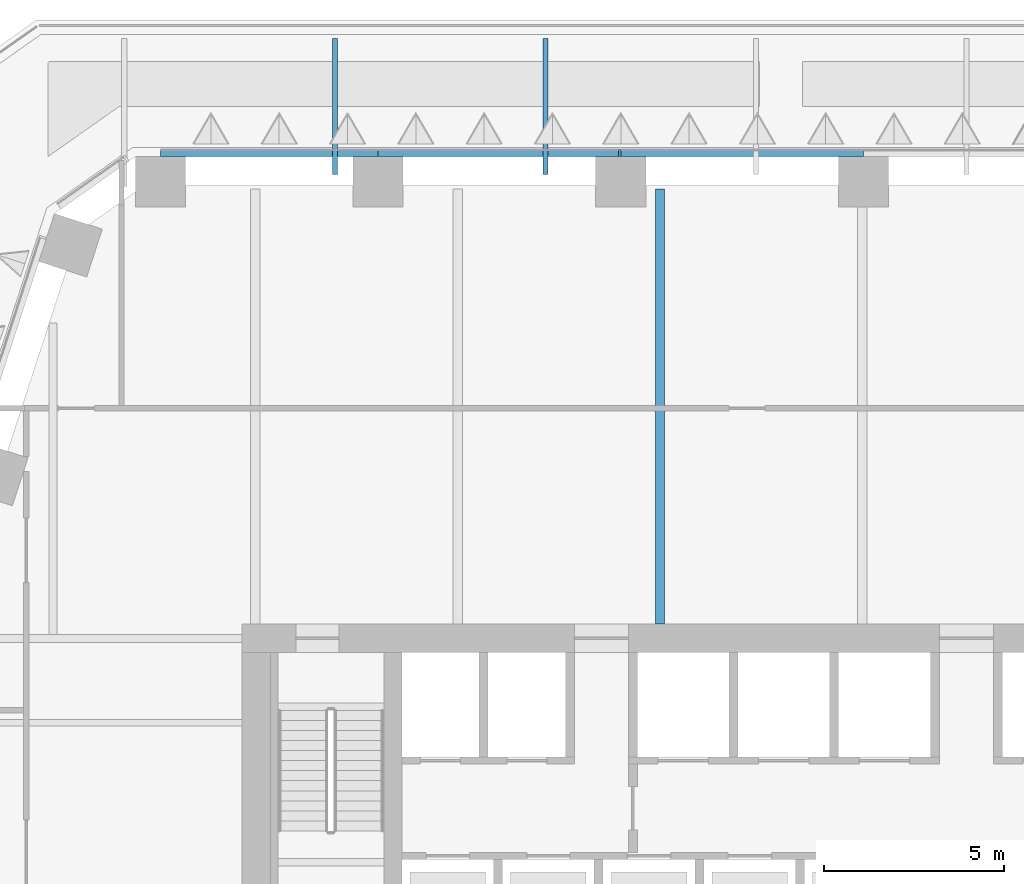
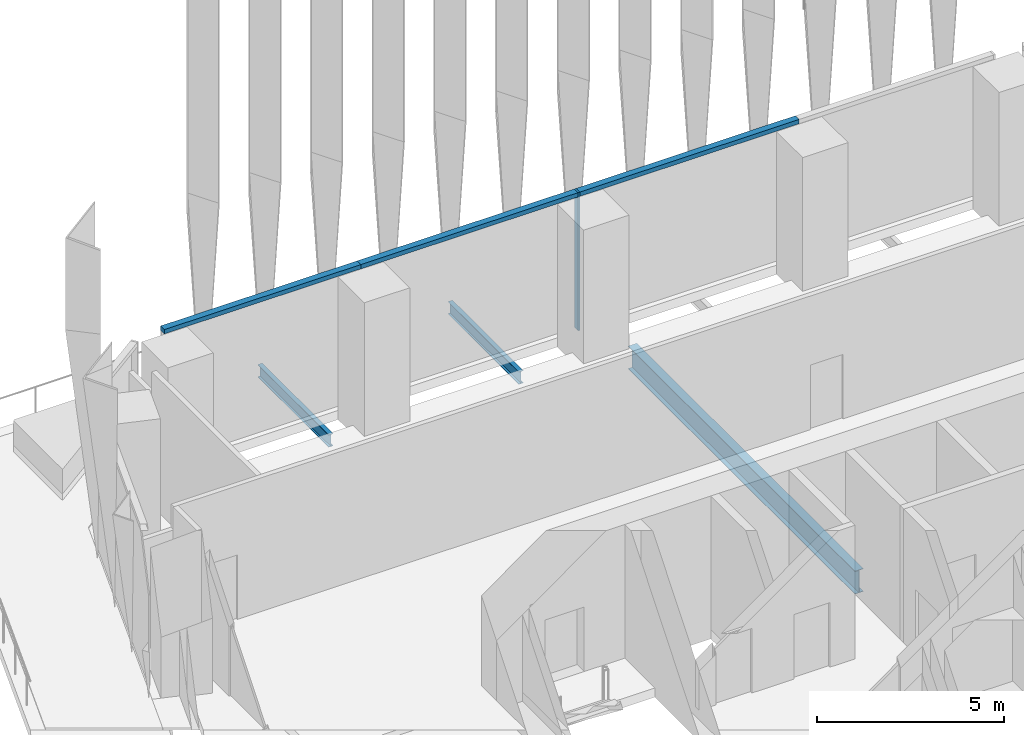
# One storey, part 8 of 27: 4 members, 3 beams, 1 element without a shape of its own.
"""IFC4 building model written with IfcOpenShell, lengths in metres."""

from ifc_helpers import new_model, si_unit, direction, frame, origin, origin_2d, place, context, subcontext, project, spatial, rectangle, i_section, extrude, material, layer, layer_set, material_profile, profile_set, type_object, element, aggregate, save


model = new_model("IFC4")

# Units and contexts
model_context = context("Model", 3, precision=1e-05, world=origin(), true_north=direction((0.0, 1.0)))
body_context = subcontext(model_context, "Body", "Model", "MODEL_VIEW")
ifc_project = project(units=[si_unit("LENGTHUNIT", "METRE"), si_unit("AREAUNIT", "SQUARE_METRE"), si_unit("VOLUMEUNIT", "CUBIC_METRE"), si_unit("PLANEANGLEUNIT", "RADIAN"), si_unit("MASSUNIT", "GRAM", prefix="KILO")], contexts=[model_context])

# Site, building, storey
site_placement = place(None, origin())
site = spatial("IfcSite", under=ifc_project, at=site_placement, CompositionType="ELEMENT")
building_placement = place(site_placement, origin())
building = spatial("IfcBuilding", under=site, at=building_placement, Name="Isthmus Gate Tower", CompositionType="ELEMENT")
storey_placement = place(building_placement, frame((0.0, 0.0, 121.64990234375)))
storey = spatial("IfcBuildingStorey", under=building, at=storey_placement, Name="L29", CompositionType="ELEMENT", Elevation=121.64990234375)

# Curtain wall, members
ifc_material_1 = material(Name="Aluminium, pale champagne anodised", Category="aluminium")
ifc_layer = layer(ifc_material_1, 0.199951171875)
ifc_layer_set = layer_set([ifc_layer], Name="CW-1 UNITISED CURTAIN WALL 200 DEEP")
curtain_wall_type = type_object("IfcCurtainWallType", Name="CW-1 UNITISED CURTAIN WALL 200 DEEP", PredefinedType="NOTDEFINED", material=ifc_layer_set)
curtain_wall_placement = place(storey_placement, origin())
curtain_wall = element("IfcCurtainWall", 1, at=curtain_wall_placement, inside=storey, type_object=curtain_wall_type, Name="CW-1 N L29", PredefinedType="NOTDEFINED")
ifc_material_2 = material(Name="Aluminium, pale champagne anodised", Category="aluminium")
ifc_material_profile_1 = material_profile(ifc_material_2, rectangle(XDim=0.06005859375, YDim=0.199951171875, at=origin_2d()), Name="60x200")
ifc_profile_set_1 = profile_set([ifc_material_profile_1], Name="Aluminium, pale champagne anodised")
member_type_1 = type_object("IfcMemberType", Name="CW-1 MULLION 60 X 200", PredefinedType="MULLION", material=ifc_profile_set_1)
member_1_placement = place(storey_placement, frame((-4.49169921875, 28.10009765625, 0.0), z_axis=(0.0, 0.0, 1.0), x_axis=(-1.0, 0.0, 0.0)))
member_1 = element("IfcMember", 2, at=member_1_placement, type_object=member_type_1, Name="CW-1 mullion", PredefinedType="MULLION", context=body_context, shape_type="SweptSolid", body=[
    extrude(rectangle(XDim=0.06005859375, YDim=0.199951171875, at=origin_2d()), origin(), (0.0, 0.0, 1.0), 4.5),
])
ifc_material_3 = material(Name="Aluminium, pale champagne anodised", Category="aluminium")
ifc_material_profile_2 = material_profile(ifc_material_3, rectangle(XDim=0.199951171875, YDim=0.139892578125, at=origin_2d()), Name="200x140")
ifc_profile_set_2 = profile_set([ifc_material_profile_2], Name="Aluminium, pale champagne anodised")
member_type_2 = type_object("IfcMemberType", Name="CW-1 TRANSOM 200 X 140", PredefinedType="USERDEFINED", material=ifc_profile_set_2)
member_2_placement = place(storey_placement, frame((2.288330078125, 28.10009765625, 4.43017578125), z_axis=(-1.0, 0.0, 0.0), x_axis=(0.0, -1.0, 0.0)))
member_2 = element("IfcMember", 3, at=member_2_placement, type_object=member_type_2, Name="CW-1 transom", ObjectType="TRANSOM", PredefinedType="USERDEFINED", context=body_context, shape_type="SweptSolid", body=[
    extrude(rectangle(XDim=0.199951171875, YDim=0.139892578125, at=origin_2d()), origin(), (0.0, 0.0, 1.0), 6.75),
])
member_3_placement = place(storey_placement, frame((-4.521728515625, 28.10009765625, 4.43017578125), z_axis=(-1.0, 0.0, 0.0), x_axis=(0.0, -1.0, 0.0)))
member_3 = element("IfcMember", 4, at=member_3_placement, type_object=member_type_2, Name="CW-1 transom", ObjectType="TRANSOM", PredefinedType="USERDEFINED", context=body_context, shape_type="SweptSolid", body=[
    extrude(rectangle(XDim=0.199951171875, YDim=0.139892578125, at=origin_2d()), origin(), (0.0, 0.0, 1.0), 6.690185546875),
])
member_4_placement = place(storey_placement, frame((-11.2119140625, 28.10009765625, 4.43017578125), z_axis=(-1.0, 0.0, 0.0), x_axis=(0.0, -1.0, 0.0)))
member_4 = element("IfcMember", 5, at=member_4_placement, type_object=member_type_2, Name="CW-1 transom", ObjectType="TRANSOM", PredefinedType="USERDEFINED", context=body_context, shape_type="SweptSolid", body=[
    extrude(rectangle(XDim=0.199951171875, YDim=0.139892578125, at=origin_2d()), origin(), (0.0, 0.0, 1.0), 6.050048828125),
])
aggregate(curtain_wall, [member_2, member_1, member_3, member_4])

# Beams
ifc_material_4 = material(Name="Structural steel ASTM A992 Gr 50", Category="steel")
ifc_material_profile_3 = material_profile(ifc_material_4, i_section(OverallWidth=0.263427734375, OverallDepth=0.749267578125, WebThickness=0.0126953125, FlangeThickness=0.015869140625, at=origin_2d()), Name="W30X90")
ifc_profile_set_3 = profile_set([ifc_material_profile_3], Name="Structural steel ASTM A992 Gr 50")
beam_type_1 = type_object("IfcBeamType", Name="STEEL FLOOR BEAM W30X90", PredefinedType="JOIST", material=ifc_profile_set_3)
beam_placement = place(storey_placement, frame((-3.370361328125, 15.0, -0.674560546875), z_axis=(0.0, 1.0, 0.0), x_axis=(-1.0, 0.0, 0.0)))
element("IfcBeam", 6, at=beam_placement, inside=storey, type_object=beam_type_1, Name="str-beam-L29-05-03", PredefinedType="JOIST", context=body_context, shape_type="SweptSolid", body=[
    extrude(i_section(OverallWidth=0.263427734375, OverallDepth=0.749267578125, WebThickness=0.0126953125, FlangeThickness=0.015869140625, at=origin_2d()), origin(), (0.0, 0.0, 1.0), 12.09521484375),
])
ifc_material_5 = material(Name="Structural steel ASTM A992 Gr 50", Category="steel")
ifc_material_profile_4 = material_profile(ifc_material_5, i_section(OverallWidth=0.1396484375, OverallDepth=0.4033203125, WebThickness=0.00634765625, FlangeThickness=0.010986328125, at=origin_2d()), Name="W16X31")
ifc_profile_set_4 = profile_set([ifc_material_profile_4], Name="Structural steel ASTM A992 Gr 50")
beam_type_2 = type_object("IfcBeamType", Name="STEEL LEDGE BEAM W16X31", PredefinedType="JOIST", material=ifc_profile_set_4)
for number, where, z_axis, x_axis, name in (
    (7, (-12.416748046875, 27.5048828125, -0.50146484375), (0.0, 1.0, 0.0), (-1.0, 0.0, 0.0), "str-ringbeam-L29-00-06"),
    (8, (-6.5595703125, 27.5048828125, -0.50146484375), (0.0, 1.0, 0.0), (-1.0, 0.0, 0.0), "str-ringbeam-L29-00-08"),
):
    element("IfcBeam", number, at=place(storey_placement, frame(where, z_axis=z_axis, x_axis=x_axis)), inside=storey, type_object=beam_type_2, Name=name, PredefinedType="JOIST", context=body_context, shape_type="SweptSolid", body=[
        extrude(i_section(OverallWidth=0.1396484375, OverallDepth=0.4033203125, WebThickness=0.00634765625, FlangeThickness=0.010986328125, at=origin_2d()), origin(), (0.0, 0.0, 1.0), 3.78076171875),
    ])

save(model, "model.ifc")
